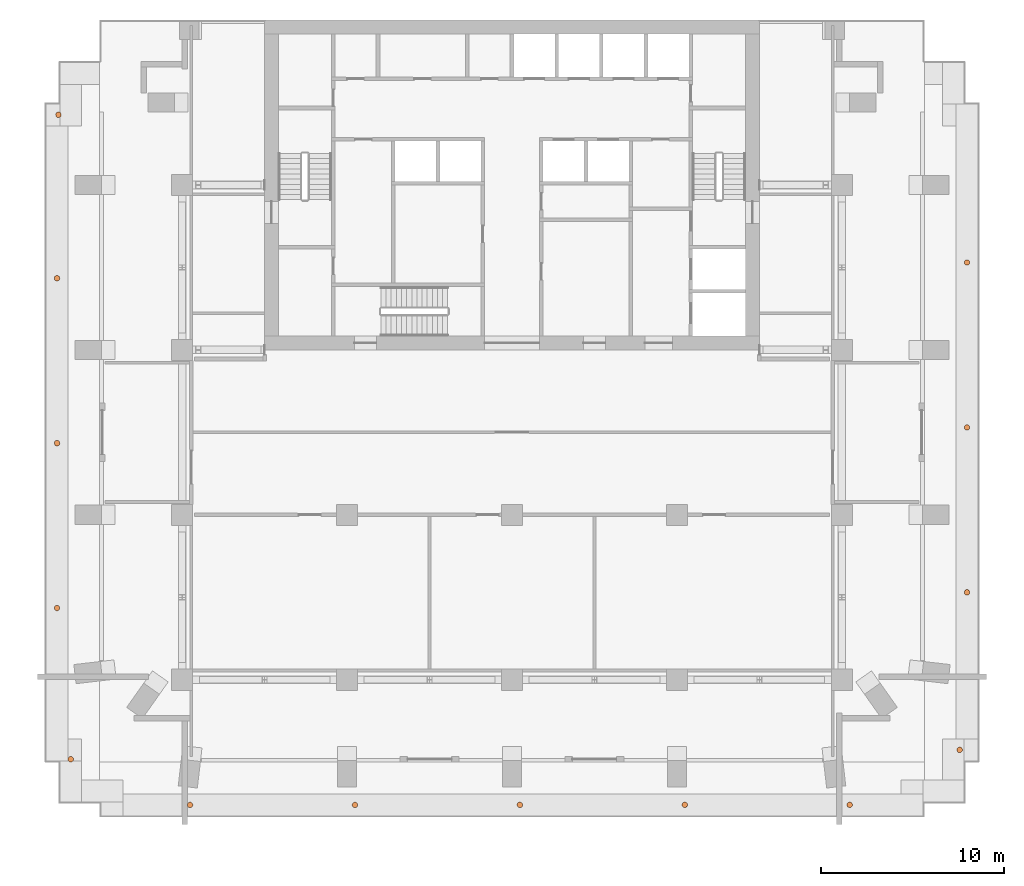
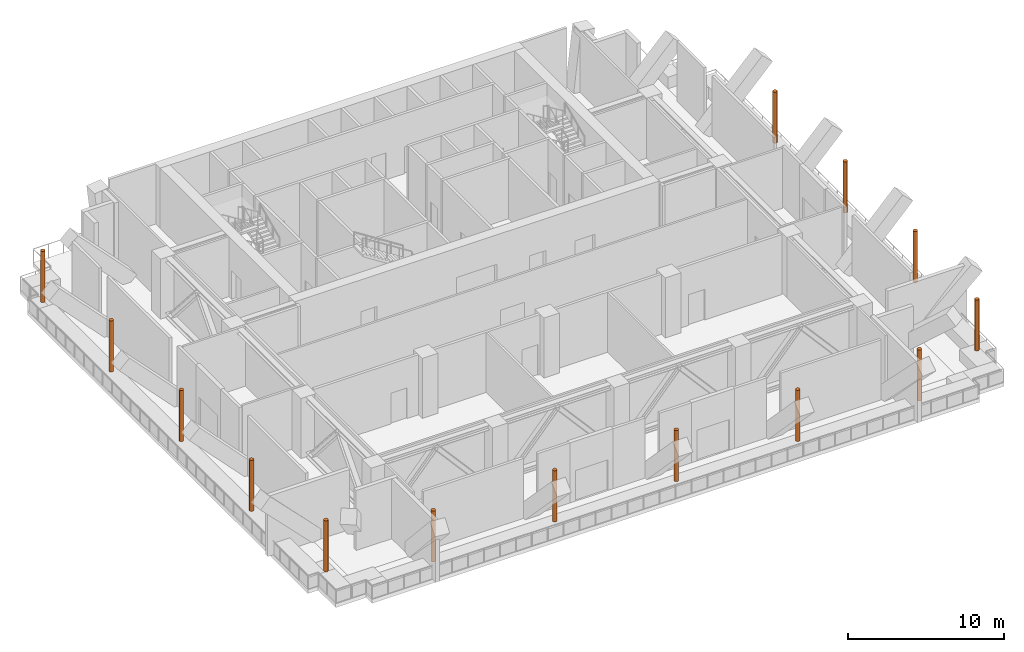
# One storey, part 9 of 9: 14 geographic elements.
"""IFC4 building model written with IfcOpenShell, lengths in metres."""

from ifc_helpers import new_model, si_unit, direction, frame, origin, origin_2d, place, context, subcontext, project, spatial, circle, extrude, material, type_object, element, save


model = new_model("IFC4")

# Units and contexts
model_context = context("Model", 3, precision=1e-05, world=origin(), true_north=direction((0.0, 1.0)))
body_context = subcontext(model_context, "Body", "Model", "MODEL_VIEW")
ifc_project = project(units=[si_unit("LENGTHUNIT", "METRE"), si_unit("AREAUNIT", "SQUARE_METRE"), si_unit("VOLUMEUNIT", "CUBIC_METRE"), si_unit("PLANEANGLEUNIT", "RADIAN"), si_unit("MASSUNIT", "GRAM", prefix="KILO")], contexts=[model_context])

# Site, building, storey
site_placement = place(None, origin())
site = spatial("IfcSite", under=ifc_project, at=site_placement, CompositionType="ELEMENT")
building_placement = place(site_placement, origin())
building = spatial("IfcBuilding", under=site, at=building_placement, Name="Orbiselva Terraces", CompositionType="ELEMENT")
storey_placement = place(building_placement, frame((0.0, 0.0, 179.4)))
storey = spatial("IfcBuildingStorey", under=building, at=storey_placement, Name="L45", CompositionType="ELEMENT", Elevation=179.4)

# Geographic elements
ifc_material = material(Name="Planted tree")
geographic_element_type = type_object("IfcGeographicElementType", Name="ENV-TREE-300x4000", PredefinedType="USERDEFINED", material=ifc_material)
for number, where, z_axis, x_axis, name in (
    (1, (-24.75, 17.33, 4.9), (0.0, 0.0, -1.0), (1.0, 0.0, 0.0), "Tree L45"),
    (2, (-24.83, 8.41, 4.9), (0.0, 0.0, -1.0), (1.0, 0.0, 0.0), "Tree L45"),
    (3, (-24.83, -0.59, 4.9), (0.0, 0.0, -1.0), (1.0, 0.0, 0.0), "Tree L45"),
    (4, (-24.83, -9.59, 4.9), (0.0, 0.0, -1.0), (1.0, 0.0, 0.0), "Tree L45"),
    (5, (-24.08, -17.84, 4.9), (0.0, 0.0, -1.0), (1.0, 0.0, 0.0), "Tree L45"),
    (6, (-17.57, -20.33, 4.9), (0.0, 0.0, -1.0), (1.0, 0.0, 0.0), "Tree L45"),
    (7, (-8.57, -20.33, 4.9), (0.0, 0.0, -1.0), (1.0, 0.0, 0.0), "Tree L45"),
    (8, (0.43, -20.33, 4.9), (0.0, 0.0, -1.0), (1.0, 0.0, 0.0), "Tree L45"),
    (9, (9.43, -20.33, 4.9), (0.0, 0.0, -1.0), (1.0, 0.0, 0.0), "Tree L45"),
    (10, (18.43, -20.33, 4.9), (0.0, 0.0, -1.0), (1.0, 0.0, 0.0), "Tree L45"),
    (11, (24.43, -17.33, 4.9), (0.0, 0.0, -1.0), (1.0, 0.0, 0.0), "Tree L45"),
    (12, (24.83, -8.73, 4.9), (0.0, 0.0, -1.0), (1.0, 0.0, 0.0), "Tree L45"),
    (13, (24.83, 0.27, 4.9), (0.0, 0.0, -1.0), (1.0, 0.0, 0.0), "Tree L45"),
    (14, (24.83, 9.27, 4.9), (0.0, 0.0, -1.0), (1.0, 0.0, 0.0), "Tree L45"),
):
    element("IfcGeographicElement", number, at=place(storey_placement, frame(where, z_axis=z_axis, x_axis=x_axis)), inside=storey, type_object=geographic_element_type, Name=name, ObjectType="TREE", PredefinedType="USERDEFINED", context=body_context, shape_type="SweptSolid", body=[
        extrude(circle(Radius=0.15, at=origin_2d()), origin(), (0.0, 0.0, 1.0), 4.0),
    ])

save(model, "model.ifc")
